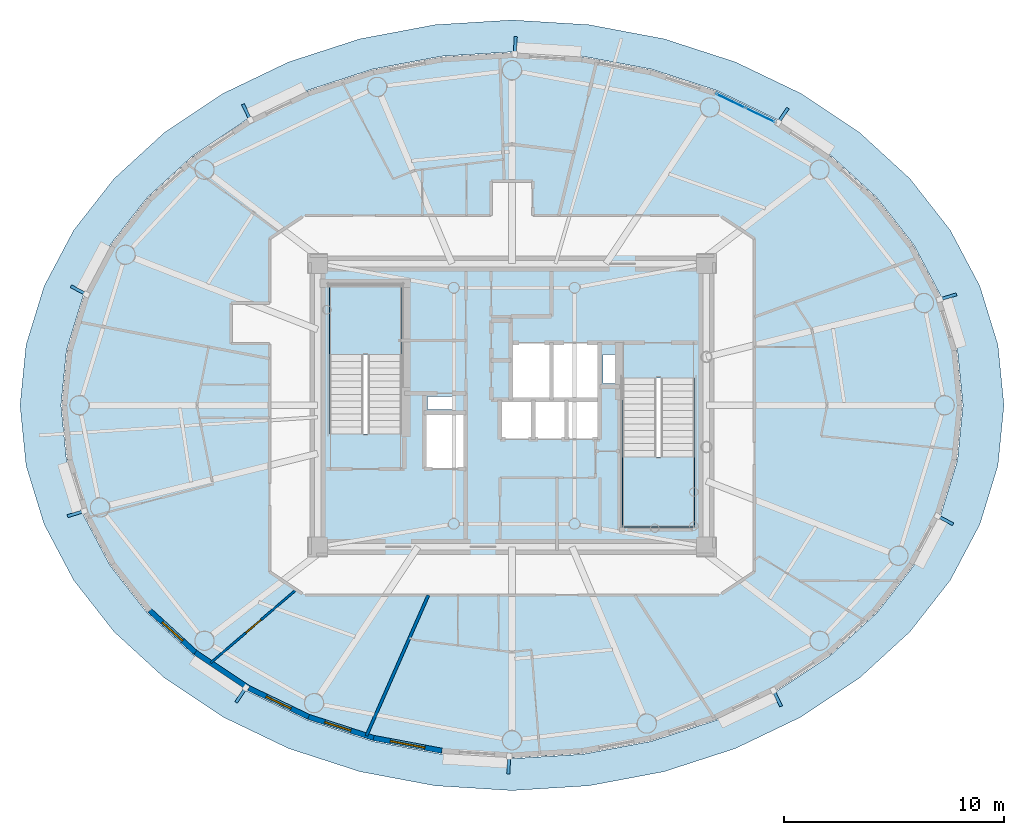
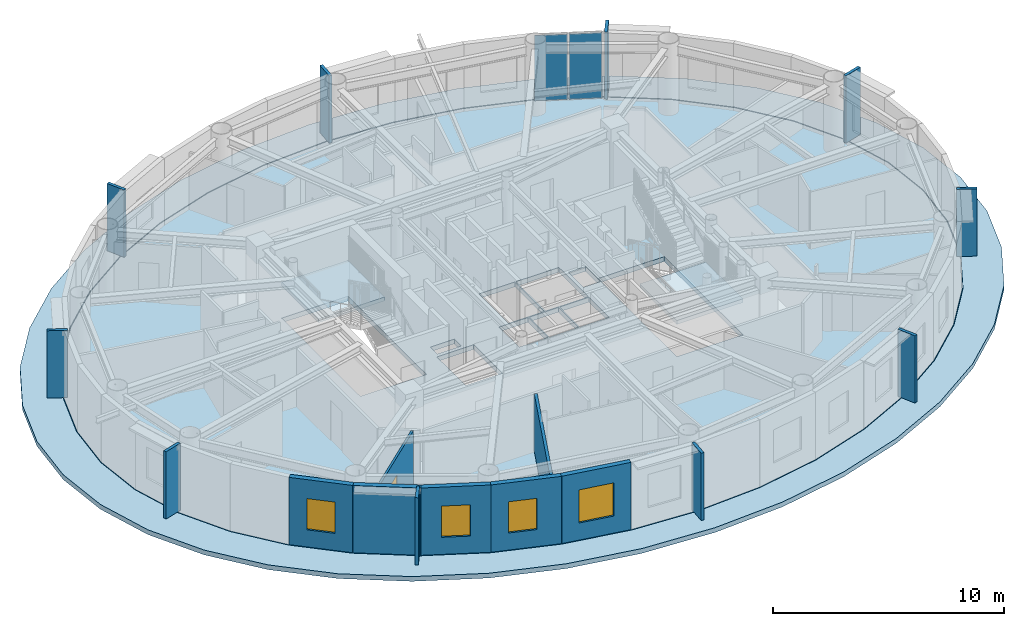
# One storey, part 6 of 17: 12 plates, 7 walls, 4 slabs, 4 windows, 1 door, 5 openings, 3 elements without a shape of their own.
"""IFC4 building model written with IfcOpenShell, lengths in metres."""

from ifc_helpers import new_model, si_unit, direction, frame, frame_2d, origin, origin_2d, place, context, subcontext, project, spatial, polyline, rectangle, outline, extrude, source, transform, mapped, material, layer, layer_set, type_object, element, fill, aggregate, save


model = new_model("IFC4")

# Units and contexts
model_context = context("Model", 3, precision=1e-05, world=origin(), true_north=direction((0.0, 1.0)))
body_context = subcontext(model_context, "Body", "Model", "MODEL_VIEW")
ifc_project = project(units=[si_unit("LENGTHUNIT", "METRE"), si_unit("AREAUNIT", "SQUARE_METRE"), si_unit("VOLUMEUNIT", "CUBIC_METRE"), si_unit("PLANEANGLEUNIT", "RADIAN"), si_unit("MASSUNIT", "GRAM", prefix="KILO")], contexts=[model_context])

# Site, building, storey
site_placement = place(None, origin())
site = spatial("IfcSite", under=ifc_project, at=site_placement, CompositionType="ELEMENT")
building_placement = place(site_placement, origin())
building = spatial("IfcBuilding", under=site, at=building_placement, Name="Linh Dai School and Residence Tower", CompositionType="ELEMENT")
storey_placement = place(building_placement, frame((0.0, 0.0, 324.0)))
storey = spatial("IfcBuildingStorey", under=building, at=storey_placement, Name="L80", CompositionType="ELEMENT", Elevation=324.0)

# Slabs
ifc_material_1 = material(Name="Concrete B45 (C35/45)", Category="concrete")
ifc_layer_1 = layer(ifc_material_1, 0.25)
ifc_layer_set_1 = layer_set([ifc_layer_1], Name="Concrete B45 (C35/45)")
slab_type_1 = type_object("IfcSlabType", Name="SLB-FLR250", PredefinedType="FLOOR", material=ifc_layer_set_1)
slab_1_placement = place(storey_placement, frame((0.0, 0.0, -0.25)))
element("IfcSlab", 1, at=slab_1_placement, inside=storey, type_object=slab_type_1, Name="L80 Composite Structural Floor Slab", PredefinedType="FLOOR", context=body_context, shape_type="SweptSolid", body=[
    extrude(outline(polyline([(56.5, 27.0), (56.24755859375, 29.511474609375), (55.49658203125, 31.961181640625), (54.265625, 34.288818359375), (52.5849609375, 36.43701171875), (50.49560546875, 38.3525390625), (48.049560546875, 39.98876953125), (45.306884765625, 41.30517578125), (42.3349609375, 42.269287109375), (39.206787109375, 42.857421875), (36.0, 43.054931640625), (32.793212890625, 42.857421875), (29.6650390625, 42.269287109375), (26.693115234375, 41.30517578125), (23.950439453125, 39.98876953125), (21.50439453125, 38.3525390625), (19.4150390625, 36.43701171875), (17.734375, 34.288818359375), (16.50341796875, 31.961181640625), (15.75244140625, 29.511474609375), (15.5, 27.0), (15.75244140625, 24.488525390625), (16.50341796875, 22.038818359375), (17.734375, 19.711181640625), (19.4150390625, 17.56298828125), (21.50439453125, 15.6474609375), (23.950439453125, 14.01123046875), (26.693115234375, 12.69482421875), (29.6650390625, 11.730712890625), (32.793212890625, 11.142578125), (36.0, 10.945068359375), (39.206787109375, 11.142578125), (42.3349609375, 11.730712890625), (45.306884765625, 12.69482421875), (48.049560546875, 14.01123046875), (50.49560546875, 15.6474609375), (52.5849609375, 17.56298828125), (54.265625, 19.711181640625), (55.49658203125, 22.038818359375), (56.24755859375, 24.488525390625), (56.5, 27.0)]), holes=[polyline([(30.97998046875, 25.699951171875), (30.97998046875, 32.5), (27.679931640625, 32.5), (27.679931640625, 25.699951171875), (30.97998046875, 25.699951171875)]), polyline([(41.02001953125, 28.25), (41.02001953125, 21.449951171875), (44.320068359375, 21.449951171875), (44.320068359375, 28.25), (41.02001953125, 28.25)]), polyline([(35.97998046875, 27.280029296875), (37.77001953125, 27.280029296875), (37.77001953125, 29.820068359375), (35.97998046875, 29.820068359375), (35.97998046875, 27.280029296875)]), polyline([(32.030029296875, 24.1298828125), (33.8701171875, 24.1298828125), (33.8701171875, 26.6201171875), (32.030029296875, 26.6201171875), (32.030029296875, 24.1298828125)]), polyline([(37.830078125, 27.280029296875), (39.969970703125, 27.280029296875), (39.969970703125, 29.820068359375), (37.830078125, 29.820068359375), (37.830078125, 27.280029296875)]), polyline([(35.47998046875, 25.47998046875), (36.929931640625, 25.47998046875), (36.929931640625, 27.219970703125), (35.47998046875, 27.219970703125), (35.47998046875, 25.47998046875)]), polyline([(36.989990234375, 25.47998046875), (38.449951171875, 25.47998046875), (38.449951171875, 27.219970703125), (36.989990234375, 27.219970703125), (36.989990234375, 25.47998046875)]), polyline([(38.510009765625, 25.47998046875), (39.969970703125, 25.47998046875), (39.969970703125, 27.219970703125), (38.510009765625, 27.219970703125), (38.510009765625, 25.47998046875)]), polyline([(40.14990234375, 28.0), (40.14990234375, 29.300048828125), (41.0, 29.300048828125), (41.0, 28.280029296875), (40.989990234375, 28.280029296875), (40.989990234375, 28.0), (40.14990234375, 28.0)]), polyline([(32.14990234375, 26.800048828125), (33.35009765625, 26.800048828125), (33.35009765625, 27.39990234375), (32.14990234375, 27.39990234375), (32.14990234375, 26.800048828125)])]), origin(), (0.0, 0.0, 1.0), 0.25),
])
ifc_layer_2 = layer(ifc_material_1, 0.300048828125)
ifc_layer_set_2 = layer_set([ifc_layer_2], Name="Concrete B45 (C35/45)")
slab_type_2 = type_object("IfcSlabType", Name="SLB-ROOF300", PredefinedType="ROOF", material=ifc_layer_set_2)
slab_2_placement = place(storey_placement, frame((0.0, 0.0, -0.25)))
element("IfcSlab", 2, at=slab_2_placement, inside=storey, type_object=slab_type_2, Name="L80 Setback Step Insulated Roof Slab", PredefinedType="ROOF", context=body_context, shape_type="SweptSolid", body=[
    extrude(outline(polyline([(58.39990234375, 27.0), (58.124267578125, 29.743896484375), (57.3037109375, 32.420166015625), (55.95849609375, 34.962890625), (54.1220703125, 37.309814453125), (51.839111328125, 39.402587890625), (49.16650390625, 41.190185546875), (46.16943359375, 42.628173828125), (42.921875, 43.681640625), (39.504150390625, 44.323974609375), (36.0, 44.5400390625), (32.495849609375, 44.323974609375), (29.078125, 43.681640625), (25.83056640625, 42.628173828125), (22.83349609375, 41.190185546875), (20.160888671875, 39.402587890625), (17.8779296875, 37.309814453125), (16.04150390625, 34.962890625), (14.6962890625, 32.420166015625), (13.875732421875, 29.743896484375), (13.60009765625, 27.0), (13.875732421875, 24.256103515625), (14.6962890625, 21.579833984375), (16.04150390625, 19.037109375), (17.8779296875, 16.690185546875), (20.160888671875, 14.597412109375), (22.83349609375, 12.809814453125), (25.83056640625, 11.371826171875), (29.078125, 10.318359375), (32.495849609375, 9.676025390625), (36.0, 9.4599609375), (39.504150390625, 9.676025390625), (42.921875, 10.318359375), (46.16943359375, 11.371826171875), (49.16650390625, 12.809814453125), (51.839111328125, 14.597412109375), (54.1220703125, 16.690185546875), (55.95849609375, 19.037109375), (57.3037109375, 21.579833984375), (58.124267578125, 24.256103515625), (58.39990234375, 27.0)]), holes=[polyline([(56.530029296875, 27.0), (56.27734375, 29.516357421875), (55.525146484375, 31.970458984375), (54.29248046875, 34.302490234375), (52.609130859375, 36.45458984375), (50.516845703125, 38.373779296875), (48.067138671875, 40.012939453125), (45.3203125, 41.331787109375), (42.34423828125, 42.2978515625), (39.211669921875, 42.886962890625), (36.0, 43.0849609375), (32.788330078125, 42.886962890625), (29.65576171875, 42.2978515625), (26.6796875, 41.331787109375), (23.932861328125, 40.012939453125), (21.483154296875, 38.373779296875), (19.390869140625, 36.45458984375), (17.70751953125, 34.302490234375), (16.474853515625, 31.970458984375), (15.72265625, 29.516357421875), (15.469970703125, 27.0), (15.72265625, 24.483642578125), (16.474853515625, 22.029541015625), (17.70751953125, 19.697509765625), (19.390869140625, 17.54541015625), (21.483154296875, 15.626220703125), (23.932861328125, 13.987060546875), (26.6796875, 12.668212890625), (29.65576171875, 11.7021484375), (32.788330078125, 11.113037109375), (36.0, 10.9150390625), (39.211669921875, 11.113037109375), (42.34423828125, 11.7021484375), (45.3203125, 12.668212890625), (48.067138671875, 13.987060546875), (50.516845703125, 15.626220703125), (52.609130859375, 17.54541015625), (54.29248046875, 19.697509765625), (55.525146484375, 22.029541015625), (56.27734375, 24.483642578125), (56.530029296875, 27.0)])]), origin(), (0.0, 0.0, 1.0), 0.25),
])

# Stair, slab
stair_type = type_object("IfcStairType", Name="ST-DOG-1550-R1462", PredefinedType="HALF_TURN_STAIR", material=ifc_material_1)
stair_1_placement = place(storey_placement, origin())
stair_1 = element("IfcStair", 3, at=stair_1_placement, inside=storey, type_object=stair_type, Name="L80 Core Smokeproof Exit Stair ST1", PredefinedType="HALF_TURN_STAIR")
ifc_layer_3 = layer(ifc_material_1, 0.199951171875)
ifc_layer_set_3 = layer_set([ifc_layer_3], Name="Concrete B45 (C35/45)")
slab_type_3 = type_object("IfcSlabType", Name="SLB-ST-LANDING-200", PredefinedType="LANDING", material=ifc_layer_set_3)
slab_3_placement = place(storey_placement, frame((0.0, 0.0, 1.699951171875)))
slab_3 = element("IfcSlab", 4, at=slab_3_placement, type_object=slab_type_3, Name="ST1 landing 1", PredefinedType="LANDING", context=body_context, shape_type="SweptSolid", body=[
    extrude(outline(polyline([(30.97998046875, 29.300048828125), (30.97998046875, 32.5), (27.679931640625, 32.5), (27.679931640625, 29.300048828125), (30.97998046875, 29.300048828125)])), origin(), (0.0, 0.0, 1.0), 0.199951171875),
])
aggregate(stair_1, [slab_3])

stair_2_placement = place(storey_placement, origin())
stair_2 = element("IfcStair", 5, at=stair_2_placement, inside=storey, type_object=stair_type, Name="L80 Core Smokeproof Exit Stair ST2", PredefinedType="HALF_TURN_STAIR")
slab_4_placement = place(storey_placement, frame((0.0, 0.0, 1.699951171875)))
slab_4 = element("IfcSlab", 6, at=slab_4_placement, type_object=slab_type_3, Name="ST2 landing 1", PredefinedType="LANDING", context=body_context, shape_type="SweptSolid", body=[
    extrude(outline(polyline([(41.02001953125, 24.64990234375), (41.02001953125, 21.449951171875), (44.320068359375, 21.449951171875), (44.320068359375, 24.64990234375), (41.02001953125, 24.64990234375)])), origin(), (0.0, 0.0, 1.0), 0.199951171875),
])
aggregate(stair_2, [slab_4])

# Plates
ifc_material_2 = material(Name="Precast Concrete B45 (C35/45)", Category="concrete")
ifc_layer_4 = layer(ifc_material_2, 0.139892578125)
ifc_layer_set_4 = layer_set([ifc_layer_4], Name="Precast Concrete B45 (C35/45)")
plate_type_1 = type_object("IfcPlateType", Name="FIN-TC-900x140", PredefinedType="USERDEFINED", material=ifc_layer_set_4)
shared_shape_1 = source(origin(), body_context, "Body", "SweptSolid", [
    extrude(rectangle(XDim=0.89990234375, YDim=0.139892578125, at=origin_2d()), origin(), (0.0, 0.0, 1.0), 3.550048828125),
])
for number, where, z_axis, x_axis, name in (
    (7, (55.808349609375, 31.918701171875, 0.0), (0.0, 0.0, 1.0), (0.956083389379, 0.293094784248, 0.0), "L80 Precast Terracotta Radial Fin 02"),
    (8, (48.3154296875, 40.154296875, 0.0), (0.0, 0.0, 1.0), (0.555970777144, 0.831201837679, 0.0), "L80 Precast Terracotta Radial Fin 06"),
    (9, (36.14501953125, 43.331787109375, 0.0), (0.0, 0.0, 1.0), (0.061518467854, 0.998105945335, 0.0), "L80 Precast Terracotta Radial Fin 10"),
    (10, (23.943115234375, 40.3017578125, 0.0), (0.0, 0.0, 1.0), (-0.432673572418, 0.901550652892, 0.0), "L80 Precast Terracotta Radial Fin 14"),
    (11, (16.3125, 32.211181640625, 0.0), (0.0, 0.0, 1.0), (-0.883971809156, 0.46754020214, 0.0), "L80 Precast Terracotta Radial Fin 18"),
    (12, (16.191650390625, 22.081298828125, 0.0), (0.0, 0.0, 1.0), (-0.956083389379, -0.293094784248, 0.0), "L80 Precast Terracotta Radial Fin 22"),
    (13, (23.6845703125, 13.845703125, 0.0), (0.0, 0.0, 1.0), (-0.555970777144, -0.831201837679, 0.0), "L80 Precast Terracotta Radial Fin 26"),
    (14, (35.85498046875, 10.668212890625, 0.0), (0.0, 0.0, 1.0), (-0.061518467854, -0.998105945335, 0.0), "L80 Precast Terracotta Radial Fin 30"),
    (15, (48.056884765625, 13.6982421875, 0.0), (0.0, 0.0, 1.0), (0.432673572418, -0.901550652892, 0.0), "L80 Precast Terracotta Radial Fin 34"),
    (16, (55.6875, 21.788818359375, 0.0), (0.0, 0.0, 1.0), (0.883971809156, -0.46754020214, 0.0), "L80 Precast Terracotta Radial Fin 38"),
):
    element("IfcPlate", number, at=place(storey_placement, frame(where, z_axis=z_axis, x_axis=x_axis)), inside=storey, type_object=plate_type_1, Name=name, ObjectType="RADIAL FIN", PredefinedType="USERDEFINED", context=body_context, shape_type="MappedRepresentation", body=[
        mapped(shared_shape_1, transform((0.0, 0.0, 0.0), x_axis=(1.0, 0.0, 0.0), y_axis=(0.0, 1.0, 0.0), z_axis=(0.0, 0.0, 1.0), scale=1.0)),
    ])

# Curtain wall, plates
ifc_material_3 = material(Name="Aluminium Anodised Curtain Wall", Category="aluminium")
ifc_layer_5 = layer(ifc_material_3, 0.14990234375)
ifc_layer_set_5 = layer_set([ifc_layer_5], Name="Aluminium Anodised Curtain Wall")
curtain_wall_type = type_object("IfcCurtainWallType", Name="CW-SYS-4", PredefinedType="USERDEFINED", material=ifc_layer_set_5)
curtain_wall_placement = place(storey_placement, origin())
curtain_wall = element("IfcCurtainWall", 17, at=curtain_wall_placement, inside=storey, type_object=curtain_wall_type, Name="L80 CW4 Curtain Wall 07", ObjectType="RIBBON CURTAIN WALL", PredefinedType="USERDEFINED")
ifc_material_4 = material(Name="Double Low-E Insulated Glazing", Category="glass")
ifc_layer_6 = layer(ifc_material_4, 0.02587890625)
ifc_layer_set_6 = layer_set([ifc_layer_6], Name="Double Low-E Insulated Glazing")
plate_type_2 = type_object("IfcPlateType", Name="CW-SYS-4-PAN", PredefinedType="CURTAIN_PANEL", material=ifc_layer_set_6)
shared_shape_2 = source(origin(), body_context, "Body", "SweptSolid", [
    extrude(rectangle(XDim=1.4345703125, YDim=0.02587890625, at=origin_2d()), origin(), (0.0, 0.0, 1.0), 3.446044921875),
])
plate_1_placement = place(storey_placement, frame((45.9541015625, 40.856201171875, 0.0517578125), z_axis=(0.0, 0.0, 1.0), x_axis=(0.901550652892, -0.432673572418, 0.0)))
plate_1 = element("IfcPlate", 18, at=plate_1_placement, type_object=plate_type_2, Name="CW4 panel 1.1", PredefinedType="CURTAIN_PANEL", context=body_context, shape_type="MappedRepresentation", body=[
    mapped(shared_shape_2, transform((0.0, 0.0, 0.0), x_axis=(1.0, 0.0, 0.0), y_axis=(0.0, 1.0, 0.0), z_axis=(0.0, 0.0, 1.0), scale=1.0)),
])
plate_2_placement = place(storey_placement, frame((47.294189453125, 40.212890625, 0.0517578125), z_axis=(0.0, 0.0, 1.0), x_axis=(0.901550652892, -0.432673572418, 0.0)))
plate_2 = element("IfcPlate", 19, at=plate_2_placement, type_object=plate_type_2, Name="CW4 panel 2.1", PredefinedType="CURTAIN_PANEL", context=body_context, shape_type="MappedRepresentation", body=[
    mapped(shared_shape_2, transform((0.0, 0.0, 0.0), x_axis=(1.0, 0.0, 0.0), y_axis=(0.0, 1.0, 0.0), z_axis=(0.0, 0.0, 1.0), scale=1.0)),
])
aggregate(curtain_wall, [plate_1, plate_2])

# Wall, opening, window
ifc_layer_7 = layer(ifc_material_2, 0.239990234375)
ifc_layer_set_7 = layer_set([ifc_layer_7], Name="Precast Concrete B45 (C35/45)")
wall_type_1 = type_object("IfcWallType", Name="EW-TC-240", PredefinedType="SOLIDWALL", material=ifc_layer_set_7)
wall_1_placement = place(storey_placement, frame((21.581298828125, 15.745849609375, 0.0), z_axis=(0.0, 0.0, 1.0), x_axis=(-0.737020907932, 0.675869944051, 0.0)))
wall_1 = element("IfcWall", 20, at=wall_1_placement, inside=storey, type_object=wall_type_1, Name="L80 Terracotta Exterior Wall 25", PredefinedType="SOLIDWALL", context=body_context, shape_type="SweptSolid", body=[
    extrude(rectangle(XDim=2.814697265625, YDim=0.239990234375, at=frame_2d((1.4072265625, 0.0))), origin(), (0.0, 0.0, 1.0), 3.550048828125),
])
opening_1_placement = place(wall_1_placement, frame((0.781982421875, 0.0, 0.89990234375)))
opening_1 = element("IfcOpeningElement", 21, at=opening_1_placement, cuts=wall_1, Name="Opening W3", PredefinedType="OPENING", context=body_context, shape_type="SweptSolid", body=[
    extrude(rectangle(XDim=1.25, YDim=1.64990234375, at=origin_2d()), frame((0.625, 0.1298828125, 0.824951171875), z_axis=(0.0, -1.0, 0.0), x_axis=(1.0, 0.0, 0.0)), (0.0, 0.0, 1.0), 0.260009765625),
])
window_type_1 = type_object("IfcWindowType", Name="WN-RES-1250x1650", PartitioningType="SINGLE_PANEL", PredefinedType="WINDOW", material=ifc_material_4)
shared_shape_3 = source(origin(), body_context, "Body", "SweptSolid", [
    extrude(rectangle(XDim=1.25, YDim=1.64990234375, at=origin_2d()), frame((0.625, 0.030029296875, 0.824951171875), z_axis=(0.0, -1.0, 0.0), x_axis=(1.0, 0.0, 0.0)), (0.0, 0.0, 1.0), 0.06005859375),
])
window_1_placement = place(opening_1_placement, origin())
window_1 = element("IfcWindow", 22, at=window_1_placement, inside=storey, type_object=window_type_1, Name="L80 Exterior Window 25.1", OverallHeight=1.64990234375, OverallWidth=1.25, PartitioningType="SINGLE_PANEL", PredefinedType="WINDOW", context=body_context, shape_type="MappedRepresentation", body=[
    mapped(shared_shape_3, transform((0.0, 0.0, 0.0), x_axis=(1.0, 0.0, 0.0), y_axis=(0.0, 1.0, 0.0), z_axis=(0.0, 0.0, 1.0), scale=1.0)),
])
fill(opening_1, window_1)

# Wall
wall_2_placement = place(storey_placement, frame((24.01220703125, 14.119873046875, 0.0), z_axis=(0.0, 0.0, 1.0), x_axis=(-0.831201688654, 0.555970999944, 0.0)))
element("IfcWall", 23, at=wall_2_placement, inside=storey, type_object=wall_type_1, Name="L80 Terracotta Exterior Wall 26", PredefinedType="SOLIDWALL", context=body_context, shape_type="SweptSolid", body=[
    extrude(rectangle(XDim=2.924560546875, YDim=0.239990234375, at=frame_2d((1.46240234375, 0.0))), origin(), (0.0, 0.0, 1.0), 3.550048828125),
])

# Wall, opening, window
wall_3_placement = place(storey_placement, frame((26.739501953125, 12.81103515625, 0.0), z_axis=(0.0, 0.0, 1.0), x_axis=(-0.901557057889, 0.432660226241, 0.0)))
wall_3 = element("IfcWall", 24, at=wall_3_placement, inside=storey, type_object=wall_type_1, Name="L80 Terracotta Exterior Wall 27", PredefinedType="SOLIDWALL", context=body_context, shape_type="SweptSolid", body=[
    extrude(rectangle(XDim=3.025146484375, YDim=0.239990234375, at=frame_2d((1.5126953125, 0.0))), origin(), (0.0, 0.0, 1.0), 3.550048828125),
])
opening_2_placement = place(wall_3_placement, frame((0.887451171875, 0.0, 0.89990234375)))
opening_2 = element("IfcOpeningElement", 25, at=opening_2_placement, cuts=wall_3, Name="Opening W3", PredefinedType="OPENING", context=body_context, shape_type="SweptSolid", body=[
    extrude(rectangle(XDim=1.25, YDim=1.64990234375, at=origin_2d()), frame((0.625, 0.1298828125, 0.824951171875), z_axis=(0.0, -1.0, 0.0), x_axis=(1.0, 0.0, 0.0)), (0.0, 0.0, 1.0), 0.260009765625),
])
window_2_placement = place(opening_2_placement, origin())
window_2 = element("IfcWindow", 26, at=window_2_placement, inside=storey, type_object=window_type_1, Name="L80 Exterior Window 27.1", OverallHeight=1.64990234375, OverallWidth=1.25, PartitioningType="SINGLE_PANEL", PredefinedType="WINDOW", context=body_context, shape_type="MappedRepresentation", body=[
    mapped(shared_shape_3, transform((0.0, 0.0, 0.0), x_axis=(1.0, 0.0, 0.0), y_axis=(0.0, 1.0, 0.0), z_axis=(0.0, 0.0, 1.0), scale=1.0)),
])
fill(opening_2, window_2)

wall_4_placement = place(storey_placement, frame((29.696044921875, 11.85205078125, 0.0), z_axis=(0.0, 0.0, 1.0), x_axis=(-0.951212850731, 0.308535431682, 0.0)))
wall_4 = element("IfcWall", 27, at=wall_4_placement, inside=storey, type_object=wall_type_1, Name="L80 Terracotta Exterior Wall 28", PredefinedType="SOLIDWALL", context=body_context, shape_type="SweptSolid", body=[
    extrude(rectangle(XDim=3.108154296875, YDim=0.239990234375, at=frame_2d((1.55419921875, 0.0))), origin(), (0.0, 0.0, 1.0), 3.550048828125),
])
opening_3_placement = place(wall_4_placement, frame((1.087890625, 0.0, 0.89990234375)))
opening_3 = element("IfcOpeningElement", 28, at=opening_3_placement, cuts=wall_4, Name="Opening W3", PredefinedType="OPENING", context=body_context, shape_type="SweptSolid", body=[
    extrude(rectangle(XDim=1.25, YDim=1.64990234375, at=origin_2d()), frame((0.625, 0.1298828125, 0.824951171875), z_axis=(0.0, -1.0, 0.0), x_axis=(1.0, 0.0, 0.0)), (0.0, 0.0, 1.0), 0.260009765625),
])
window_3_placement = place(opening_3_placement, origin())
window_3 = element("IfcWindow", 29, at=window_3_placement, inside=storey, type_object=window_type_1, Name="L80 Exterior Window 28.1", OverallHeight=1.64990234375, OverallWidth=1.25, PartitioningType="SINGLE_PANEL", PredefinedType="WINDOW", context=body_context, shape_type="MappedRepresentation", body=[
    mapped(shared_shape_3, transform((0.0, 0.0, 0.0), x_axis=(1.0, 0.0, 0.0), y_axis=(0.0, 1.0, 0.0), z_axis=(0.0, 0.0, 1.0), scale=1.0)),
])
fill(opening_3, window_3)

wall_5_placement = place(storey_placement, frame((32.80859375, 11.2666015625, 0.0), z_axis=(0.0, 0.0, 1.0), x_axis=(-0.98276643264, 0.184851667226, 0.0)))
wall_5 = element("IfcWall", 30, at=wall_5_placement, inside=storey, type_object=wall_type_1, Name="L80 Terracotta Exterior Wall 29", PredefinedType="SOLIDWALL", context=body_context, shape_type="SweptSolid", body=[
    extrude(rectangle(XDim=3.167236328125, YDim=0.239990234375, at=frame_2d((1.58349609375, 0.0))), origin(), (0.0, 0.0, 1.0), 3.550048828125),
])
opening_4_placement = place(wall_5_placement, frame((0.783447265625, 0.0, 0.89990234375)))
opening_4 = element("IfcOpeningElement", 31, at=opening_4_placement, cuts=wall_5, Name="Opening W2", PredefinedType="OPENING", context=body_context, shape_type="SweptSolid", body=[
    extrude(rectangle(XDim=1.60009765625, YDim=1.75, at=origin_2d()), frame((0.800048828125, 0.1298828125, 0.875), z_axis=(0.0, -1.0, 0.0), x_axis=(1.0, 0.0, 0.0)), (0.0, 0.0, 1.0), 0.260009765625),
])
window_type_2 = type_object("IfcWindowType", Name="WN-RES-1600x1750", PartitioningType="DOUBLE_PANEL_VERTICAL", PredefinedType="WINDOW", material=ifc_material_4)
shared_shape_4 = source(origin(), body_context, "Body", "SweptSolid", [
    extrude(rectangle(XDim=1.60009765625, YDim=1.75, at=origin_2d()), frame((0.800048828125, 0.030029296875, 0.875), z_axis=(0.0, -1.0, 0.0), x_axis=(1.0, 0.0, 0.0)), (0.0, 0.0, 1.0), 0.06005859375),
])
window_4_placement = place(opening_4_placement, origin())
window_4 = element("IfcWindow", 32, at=window_4_placement, inside=storey, type_object=window_type_2, Name="L80 Exterior Window 29.1", OverallHeight=1.75, OverallWidth=1.60009765625, PartitioningType="DOUBLE_PANEL_VERTICAL", PredefinedType="WINDOW", context=body_context, shape_type="MappedRepresentation", body=[
    mapped(shared_shape_4, transform((0.0, 0.0, 0.0), x_axis=(1.0, 0.0, 0.0), y_axis=(0.0, 1.0, 0.0), z_axis=(0.0, 0.0, 1.0), scale=1.0)),
])
fill(opening_4, window_4)

# Wall
ifc_material_5 = material(Name="Autoclaved Aerated Concrete Blockwork", Category="masonry")
ifc_layer_8 = layer(ifc_material_5, 0.135009765625)
ifc_layer_set_8 = layer_set([ifc_layer_8], Name="Autoclaved Aerated Concrete Blockwork")
wall_type_2 = type_object("IfcWallType", Name="IW-CORR-135-EI90", PredefinedType="PARTITIONING", material=ifc_layer_set_8)
wall_6_placement = place(storey_placement, frame((29.3720703125, 11.95166015625, 0.0), z_axis=(0.0, 0.0, 1.0), x_axis=(0.403087321923, 0.915161521757, 0.0)))
element("IfcWall", 33, at=wall_6_placement, inside=storey, type_object=wall_type_2, Name="L80 Interior Partition Wall 020", PredefinedType="PARTITIONING", context=body_context, shape_type="SweptSolid", body=[
    extrude(rectangle(XDim=6.9912109375, YDim=0.135009765625, at=frame_2d((3.49560546875, 0.0))), origin(), (0.0, 0.0, 1.0), 3.034912109375),
])

# Wall, opening, door
ifc_material_6 = material(Name="Gypsum Plasterboard Acoustic Stud Partition", Category="masonry")
ifc_layer_9 = layer(ifc_material_6, 0.10009765625)
ifc_layer_set_9 = layer_set([ifc_layer_9], Name="Gypsum Plasterboard Acoustic Stud Partition")
wall_type_3 = type_object("IfcWallType", Name="IW-UNIT-100", PredefinedType="PARTITIONING", material=ifc_layer_set_9)
wall_7_placement = place(storey_placement, frame((22.280517578125, 15.272216796875, 0.0), z_axis=(0.0, 0.0, 1.0), x_axis=(0.760137676474, 0.649762043216, 0.0)))
wall_7 = element("IfcWall", 34, at=wall_7_placement, inside=storey, type_object=wall_type_3, Name="L80 Interior Partition Wall 008", PredefinedType="PARTITIONING", context=body_context, shape_type="SweptSolid", body=[
    extrude(rectangle(XDim=5.12060546875, YDim=0.10009765625, at=frame_2d((2.560302734375, 0.0))), origin(), (0.0, 0.0, 1.0), 3.034912109375),
])
opening_5_placement = place(wall_7_placement, frame((2.1103515625, 0.0, 0.0)))
opening_5 = element("IfcOpeningElement", 35, at=opening_5_placement, cuts=wall_7, Name="Opening D05", PredefinedType="OPENING", context=body_context, shape_type="SweptSolid", body=[
    extrude(rectangle(XDim=0.89990234375, YDim=2.10009765625, at=origin_2d()), frame((0.449951171875, 0.06005859375, 1.050048828125), z_axis=(0.0, -1.0, 0.0), x_axis=(1.0, 0.0, 0.0)), (0.0, 0.0, 1.0), 0.1201171875),
])
ifc_material_7 = material(Name="Engineered Timber Internal Door", Category="wood")
door_type = type_object("IfcDoorType", Name="DR-INT-900x2100", OperationType="NOTDEFINED", PredefinedType="DOOR", material=ifc_material_7)
shared_shape_5 = source(origin(), body_context, "Body", "SweptSolid", [
    extrude(rectangle(XDim=0.89990234375, YDim=2.10009765625, at=origin_2d()), frame((0.449951171875, 0.02490234375, 1.050048828125), z_axis=(0.0, -1.0, 0.0), x_axis=(1.0, 0.0, 0.0)), (0.0, 0.0, 1.0), 0.050048828125),
])
door_placement = place(opening_5_placement, origin())
door = element("IfcDoor", 36, at=door_placement, inside=storey, type_object=door_type, Name="L80 Apartment U8002 Bedroom 2 Door", OperationType="SINGLE_SWING_RIGHT", OverallHeight=2.10009765625, OverallWidth=0.89990234375, PredefinedType="DOOR", context=body_context, shape_type="MappedRepresentation", body=[
    mapped(shared_shape_5, transform((0.0, 0.0, 0.0), x_axis=(1.0, 0.0, 0.0), y_axis=(0.0, 1.0, 0.0), z_axis=(0.0, 0.0, 1.0), scale=1.0)),
])
fill(opening_5, door)

save(model, "model.ifc")
